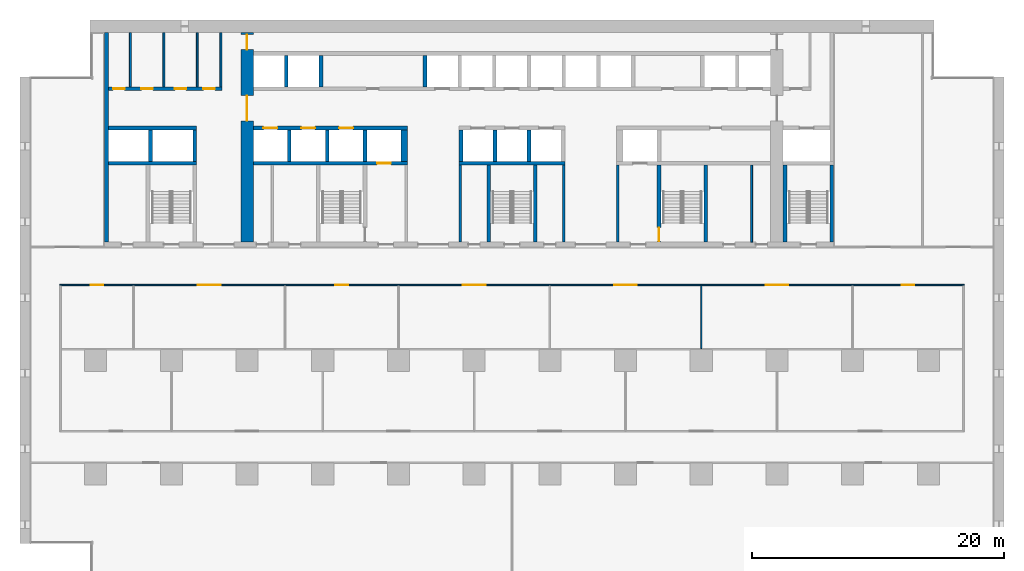
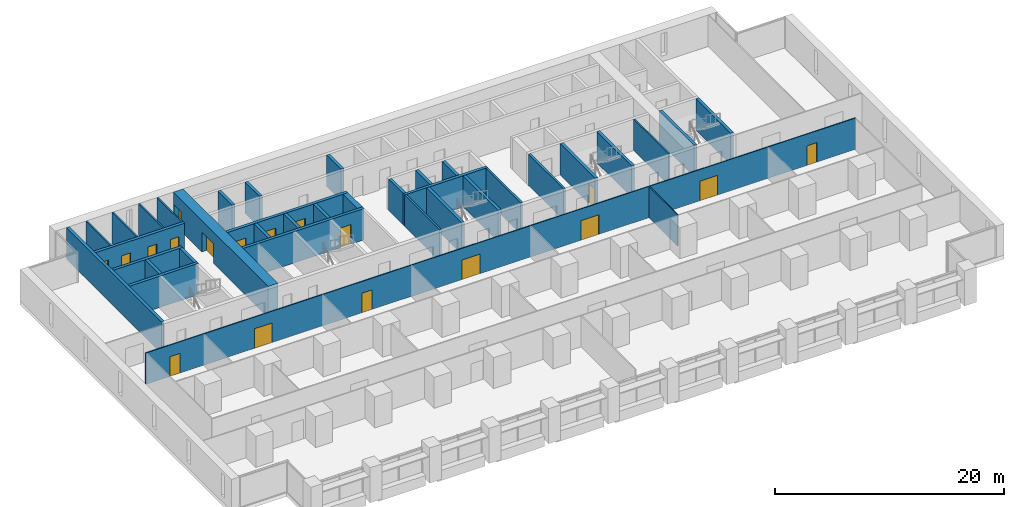
# One storey, part 10 of 18: 36 walls, 18 doors, 18 openings.
"""IFC4 building model written with IfcOpenShell, lengths in metres."""

from ifc_helpers import new_model, si_unit, direction, frame, frame_2d, origin, place, context, subcontext, project, spatial, rectangle, extrude, material, layer, layer_set, type_object, element, fill, save


model = new_model("IFC4")

# Units and contexts
model_context = context("Model", 3, precision=1e-05, world=origin(), true_north=direction((0.0, 1.0)))
body_context = subcontext(model_context, "Body", "Model", "MODEL_VIEW")
ifc_project = project(units=[si_unit("LENGTHUNIT", "METRE"), si_unit("AREAUNIT", "SQUARE_METRE"), si_unit("VOLUMEUNIT", "CUBIC_METRE"), si_unit("PLANEANGLEUNIT", "RADIAN"), si_unit("MASSUNIT", "GRAM", prefix="KILO")], contexts=[model_context])

# Site, building, storey
site_placement = place(None, origin())
site = spatial("IfcSite", under=ifc_project, at=site_placement, CompositionType="ELEMENT")
building_placement = place(site_placement, origin())
building = spatial("IfcBuilding", under=site, at=building_placement, Name="Calvaro Tower", CompositionType="ELEMENT")
storey_placement = place(building_placement, frame((0.0, 0.0, 37.5)))
storey = spatial("IfcBuildingStorey", under=building, at=storey_placement, Name="L08", CompositionType="ELEMENT", Elevation=37.5)

# Walls
ifc_material_1 = material(Name="Blockwork partition", Category="masonry")
ifc_layer_1 = layer(ifc_material_1, 0.14990234375)
ifc_layer_set_1 = layer_set([ifc_layer_1], Name="Blockwork partition")
wall_type_1 = type_object("IfcWallType", Name="Core partition 150 EI 60", PredefinedType="PARTITIONING", material=ifc_layer_set_1)
wall_1_placement = place(storey_placement, frame((58.0, 28.39990234375, 0.0), z_axis=(0.0, 0.0, 1.0), x_axis=(0.0, 1.0, 0.0)))
element("IfcWall", 1, at=wall_1_placement, inside=storey, type_object=wall_type_1, Name="Core partition", PredefinedType="PARTITIONING", context=body_context, shape_type="SweptSolid", body=[
    extrude(rectangle(XDim=6.10009765625, YDim=0.14990234375, at=frame_2d((3.050048828125, 0.0))), origin(), (0.0, 0.0, 1.0), 3.35009765625),
])
for number, where, z_axis, x_axis, name in (
    (2, (8.75, 40.699951171875, 0.0), (0.0, 0.0, 1.0), (0.0, 1.0, 0.0), "Core partition"),
    (3, (11.39990234375, 40.699951171875, 0.0), (0.0, 0.0, 1.0), (0.0, 1.0, 0.0), "Core partition"),
    (4, (14.050048828125, 40.699951171875, 0.0), (0.0, 0.0, 1.0), (0.0, 1.0, 0.0), "Core partition"),
):
    element("IfcWall", number, at=place(storey_placement, frame(where, z_axis=z_axis, x_axis=x_axis)), inside=storey, type_object=wall_type_1, Name=name, PredefinedType="PARTITIONING", context=body_context, shape_type="SweptSolid", body=[
        extrude(rectangle(XDim=4.300048828125, YDim=0.14990234375, at=frame_2d((2.14990234375, 0.0))), origin(), (0.0, 0.0, 1.0), 3.35009765625),
    ])
ifc_material_2 = material(Name="Blockwork partition", Category="masonry")
ifc_layer_2 = layer(ifc_material_2, 0.14990234375)
ifc_layer_set_2 = layer_set([ifc_layer_2], Name="Blockwork partition")
wall_type_2 = type_object("IfcWallType", Name="Core partition 150 REI 120", PredefinedType="PARTITIONING", material=ifc_layer_set_2)
wall_2_placement = place(storey_placement, frame((15.925048828125, 40.699951171875, 0.0), z_axis=(0.0, 0.0, 1.0), x_axis=(0.0, 1.0, 0.0)))
element("IfcWall", 5, at=wall_2_placement, inside=storey, type_object=wall_type_2, Name="Core partition", PredefinedType="PARTITIONING", context=body_context, shape_type="SweptSolid", body=[
    extrude(rectangle(XDim=4.300048828125, YDim=0.14990234375, at=frame_2d((2.14990234375, 0.0))), origin(), (0.0, 0.0, 1.0), 3.35009765625),
])
ifc_material_3 = material(Name="Blockwork partition", Category="masonry")
ifc_layer_3 = layer(ifc_material_3, 0.199951171875)
ifc_layer_set_3 = layer_set([ifc_layer_3], Name="Blockwork partition")
wall_type_3 = type_object("IfcWallType", Name="Core partition 200 REI 120", PredefinedType="PARTITIONING", material=ifc_layer_set_3)
for number, where, z_axis, x_axis, name in (
    (6, (34.89990234375, 28.39990234375, 0.0), (0.0, 0.0, 1.0), (0.0, 1.0, 0.0), "Core partition"),
    (7, (43.10009765625, 28.39990234375, 0.0), (0.0, 0.0, 1.0), (0.0, 1.0, 0.0), "Core partition"),
    (8, (47.39990234375, 28.39990234375, 0.0), (0.0, 0.0, 1.0), (0.0, 1.0, 0.0), "Core partition"),
):
    element("IfcWall", number, at=place(storey_placement, frame(where, z_axis=z_axis, x_axis=x_axis)), inside=storey, type_object=wall_type_3, Name=name, PredefinedType="PARTITIONING", context=body_context, shape_type="SweptSolid", body=[
        extrude(rectangle(XDim=6.10009765625, YDim=0.199951171875, at=frame_2d((3.050048828125, 0.0))), origin(), (0.0, 0.0, 1.0), 3.35009765625),
    ])

# Wall, openings, doors
ifc_material_4 = material(Name="Blockwork partition", Category="masonry")
ifc_layer_4 = layer(ifc_material_4, 0.300048828125)
ifc_layer_set_4 = layer_set([ifc_layer_4], Name="Blockwork partition")
wall_type_4 = type_object("IfcWallType", Name="Core partition 300 REI 120", PredefinedType="PARTITIONING", material=ifc_layer_set_4)
wall_3_placement = place(storey_placement, frame((7.0, 40.550048828125, 0.0), z_axis=(0.0, 0.0, 1.0), x_axis=(1.0, 0.0, 0.0)))
wall_3 = element("IfcWall", 9, at=wall_3_placement, inside=storey, type_object=wall_type_4, Name="Core partition", PredefinedType="PARTITIONING", context=body_context, shape_type="SweptSolid", body=[
    extrude(rectangle(XDim=9.0, YDim=0.300048828125, at=frame_2d((4.5, 0.0))), origin(), (0.0, 0.0, 1.0), 3.35009765625),
])
opening_1_placement = place(wall_3_placement, frame((0.387451171875, 0.0, 0.0)))
opening_1 = element("IfcOpeningElement", 10, at=opening_1_placement, cuts=wall_3, Name="Opening RD9C", PredefinedType="OPENING", context=body_context, shape_type="SweptSolid", body=[
    extrude(rectangle(XDim=0.89990234375, YDim=2.10009765625, at=frame_2d((0.449951171875, 1.050048828125))), frame((0.0, 0.159912109375, 0.0), z_axis=(0.0, -1.0, 0.0), x_axis=(1.0, 0.0, 0.0)), (0.0, 0.0, 1.0), 0.320068359375),
])
opening_2_placement = place(wall_3_placement, frame((2.625, 0.0, 0.0)))
opening_2 = element("IfcOpeningElement", 11, at=opening_2_placement, cuts=wall_3, Name="Opening RD9", PredefinedType="OPENING", context=body_context, shape_type="SweptSolid", body=[
    extrude(rectangle(XDim=0.89990234375, YDim=2.10009765625, at=frame_2d((0.449951171875, 1.050048828125))), frame((0.0, 0.159912109375, 0.0), z_axis=(0.0, -1.0, 0.0), x_axis=(1.0, 0.0, 0.0)), (0.0, 0.0, 1.0), 0.320068359375),
])
opening_3_placement = place(wall_3_placement, frame((5.27490234375, 0.0, 0.0)))
opening_3 = element("IfcOpeningElement", 12, at=opening_3_placement, cuts=wall_3, Name="Opening RD9", PredefinedType="OPENING", context=body_context, shape_type="SweptSolid", body=[
    extrude(rectangle(XDim=0.89990234375, YDim=2.10009765625, at=frame_2d((0.449951171875, 1.050048828125))), frame((0.0, 0.159912109375, 0.0), z_axis=(0.0, -1.0, 0.0), x_axis=(1.0, 0.0, 0.0)), (0.0, 0.0, 1.0), 0.320068359375),
])
opening_4_placement = place(wall_3_placement, frame((7.53759765625, 0.0, 0.0)))
opening_4 = element("IfcOpeningElement", 13, at=opening_4_placement, cuts=wall_3, Name="Opening RD9", PredefinedType="OPENING", context=body_context, shape_type="SweptSolid", body=[
    extrude(rectangle(XDim=0.89990234375, YDim=2.10009765625, at=frame_2d((0.449951171875, 1.050048828125))), frame((0.0, 0.159912109375, 0.0), z_axis=(0.0, -1.0, 0.0), x_axis=(1.0, 0.0, 0.0)), (0.0, 0.0, 1.0), 0.320068359375),
])
ifc_material_5 = material(Name="Steel door set", Category="steel")
door_type_1 = type_object("IfcDoorType", Name="Room door 900", OperationType="SINGLE_SWING_LEFT", PredefinedType="DOOR", material=ifc_material_5)
door_1_placement = place(opening_2_placement, origin())
door_1 = element("IfcDoor", 14, at=door_1_placement, inside=storey, type_object=door_type_1, Name="Room door", OperationType="SINGLE_SWING_LEFT", OverallHeight=2.10009765625, OverallWidth=0.89990234375, PredefinedType="DOOR", context=body_context, shape_type="SweptSolid", body=[
    extrude(rectangle(XDim=0.89990234375, YDim=2.10009765625, at=frame_2d((0.449951171875, 1.050048828125))), frame((0.0, 0.02490234375, 0.0), z_axis=(0.0, -1.0, 0.0), x_axis=(1.0, 0.0, 0.0)), (0.0, 0.0, 1.0), 0.050048828125),
])
fill(opening_2, door_1)
door_2_placement = place(opening_3_placement, origin())
door_2 = element("IfcDoor", 15, at=door_2_placement, inside=storey, type_object=door_type_1, Name="Room door", OperationType="SINGLE_SWING_LEFT", OverallHeight=2.10009765625, OverallWidth=0.89990234375, PredefinedType="DOOR", context=body_context, shape_type="SweptSolid", body=[
    extrude(rectangle(XDim=0.89990234375, YDim=2.10009765625, at=frame_2d((0.449951171875, 1.050048828125))), frame((0.0, 0.02490234375, 0.0), z_axis=(0.0, -1.0, 0.0), x_axis=(1.0, 0.0, 0.0)), (0.0, 0.0, 1.0), 0.050048828125),
])
fill(opening_3, door_2)
door_3_placement = place(opening_4_placement, origin())
door_3 = element("IfcDoor", 16, at=door_3_placement, inside=storey, type_object=door_type_1, Name="Room door", OperationType="SINGLE_SWING_RIGHT", OverallHeight=2.10009765625, OverallWidth=0.89990234375, PredefinedType="DOOR", context=body_context, shape_type="SweptSolid", body=[
    extrude(rectangle(XDim=0.89990234375, YDim=2.10009765625, at=frame_2d((0.449951171875, 1.050048828125))), frame((0.0, 0.02490234375, 0.0), z_axis=(0.0, -1.0, 0.0), x_axis=(1.0, 0.0, 0.0)), (0.0, 0.0, 1.0), 0.050048828125),
])
fill(opening_4, door_3)
ifc_material_6 = material(Name="Steel door set", Category="steel")
door_type_2 = type_object("IfcDoorType", Name="Room door 900 FD30", OperationType="SINGLE_SWING_LEFT", PredefinedType="DOOR", material=ifc_material_6)
door_4_placement = place(opening_1_placement, origin())
door_4 = element("IfcDoor", 17, at=door_4_placement, inside=storey, type_object=door_type_2, Name="Room door", OperationType="SINGLE_SWING_LEFT", OverallHeight=2.10009765625, OverallWidth=0.89990234375, PredefinedType="DOOR", context=body_context, shape_type="SweptSolid", body=[
    extrude(rectangle(XDim=0.89990234375, YDim=2.10009765625, at=frame_2d((0.449951171875, 1.050048828125))), frame((0.0, 0.02490234375, 0.0), z_axis=(0.0, -1.0, 0.0), x_axis=(1.0, 0.0, 0.0)), (0.0, 0.0, 1.0), 0.050048828125),
])
fill(opening_1, door_4)

ifc_material_7 = material(Name="Concrete C80/95", Category="concrete")
ifc_layer_5 = layer(ifc_material_7, 1.0)
ifc_layer_set_5 = layer_set([ifc_layer_5], Name="Concrete C80/95")
wall_type_5 = type_object("IfcWallType", Name="Core wall C80/95 1000", PredefinedType="SHEAR", material=ifc_layer_set_5)
wall_4_placement = place(storey_placement, frame((18.0, 28.39990234375, 0.0), z_axis=(0.0, 0.0, 1.0), x_axis=(0.0, 1.0, 0.0)))
wall_4 = element("IfcWall", 18, at=wall_4_placement, inside=storey, type_object=wall_type_5, Name="Core wall, cross shear wall", PredefinedType="SHEAR", context=body_context, shape_type="SweptSolid", body=[
    extrude(rectangle(XDim=16.60009765625, YDim=1.0, at=frame_2d((8.300048828125, 0.0))), origin(), (0.0, 0.0, 1.0), 3.35009765625),
])
opening_5_placement = place(wall_4_placement, frame((9.60009765625, 0.0, 0.0)))
opening_5 = element("IfcOpeningElement", 19, at=opening_5_placement, cuts=wall_4, Name="Opening DD20D", PredefinedType="OPENING", context=body_context, shape_type="SweptSolid", body=[
    extrude(rectangle(XDim=2.0, YDim=2.10009765625, at=frame_2d((1.0, 1.050048828125))), frame((0.0, 0.510009765625, 0.0), z_axis=(0.0, -1.0, 0.0), x_axis=(1.0, 0.0, 0.0)), (0.0, 0.0, 1.0), 1.02001953125),
])
opening_6_placement = place(wall_4_placement, frame((15.25, 0.0, 0.0)))
opening_6 = element("IfcOpeningElement", 20, at=opening_6_placement, cuts=wall_4, Name="Opening FD12C", PredefinedType="OPENING", context=body_context, shape_type="SweptSolid", body=[
    extrude(rectangle(XDim=1.199951171875, YDim=2.10009765625, at=frame_2d((0.60009765625, 1.050048828125))), frame((0.0, 0.510009765625, 0.0), z_axis=(0.0, -1.0, 0.0), x_axis=(1.0, 0.0, 0.0)), (0.0, 0.0, 1.0), 1.02001953125),
])
ifc_material_8 = material(Name="Steel door set", Category="steel")
door_type_3 = type_object("IfcDoorType", Name="Fire door 1200 FD30", OperationType="SINGLE_SWING_LEFT", PredefinedType="DOOR", material=ifc_material_8)
door_5_placement = place(opening_6_placement, origin())
door_5 = element("IfcDoor", 21, at=door_5_placement, inside=storey, type_object=door_type_3, Name="Fire door", OperationType="SINGLE_SWING_LEFT", OverallHeight=2.10009765625, OverallWidth=1.199951171875, PredefinedType="DOOR", context=body_context, shape_type="SweptSolid", body=[
    extrude(rectangle(XDim=1.199951171875, YDim=2.10009765625, at=frame_2d((0.60009765625, 1.050048828125))), frame((0.0, 0.02490234375, 0.0), z_axis=(0.0, -1.0, 0.0), x_axis=(1.0, 0.0, 0.0)), (0.0, 0.0, 1.0), 0.050048828125),
])
fill(opening_6, door_5)
ifc_material_9 = material(Name="Steel door set", Category="steel")
door_type_4 = type_object("IfcDoorType", Name="Lobby double door 2000 FD30S", OperationType="DOUBLE_DOOR_SINGLE_SWING", PredefinedType="DOOR", material=ifc_material_9)
door_6_placement = place(opening_5_placement, origin())
door_6 = element("IfcDoor", 22, at=door_6_placement, inside=storey, type_object=door_type_4, Name="Lobby double door", OperationType="DOUBLE_DOOR_SINGLE_SWING", OverallHeight=2.10009765625, OverallWidth=2.0, PredefinedType="DOOR", context=body_context, shape_type="SweptSolid", body=[
    extrude(rectangle(XDim=2.0, YDim=2.10009765625, at=frame_2d((1.0, 1.050048828125))), frame((0.0, 0.02490234375, 0.0), z_axis=(0.0, -1.0, 0.0), x_axis=(1.0, 0.0, 0.0)), (0.0, 0.0, 1.0), 0.050048828125),
])
fill(opening_5, door_6)

# Walls
ifc_material_10 = material(Name="Concrete C80/95", Category="concrete")
ifc_layer_6 = layer(ifc_material_10, 0.300048828125)
ifc_layer_set_6 = layer_set([ifc_layer_6], Name="Concrete C80/95")
wall_type_6 = type_object("IfcWallType", Name="Core wall C80/95 300", PredefinedType="SHEAR", material=ifc_layer_set_6)
wall_5_placement = place(storey_placement, frame((6.85009765625, 28.39990234375, 0.0), z_axis=(0.0, 0.0, 1.0), x_axis=(0.0, 1.0, 0.0)))
element("IfcWall", 23, at=wall_5_placement, inside=storey, type_object=wall_type_6, Name="Core wall, boundary", PredefinedType="SHEAR", context=body_context, shape_type="SweptSolid", body=[
    extrude(rectangle(XDim=16.60009765625, YDim=0.300048828125, at=frame_2d((8.300048828125, 0.0))), origin(), (0.0, 0.0, 1.0), 3.35009765625),
])
for number, where, z_axis, x_axis, name in (
    (24, (37.14990234375, 28.39990234375, 0.0), (0.0, 0.0, 1.0), (0.0, 1.0, 0.0), "Core wall, stair enclosure"),
    (25, (40.85009765625, 28.39990234375, 0.0), (0.0, 0.0, 1.0), (0.0, 1.0, 0.0), "Core wall, stair enclosure"),
):
    element("IfcWall", number, at=place(storey_placement, frame(where, z_axis=z_axis, x_axis=x_axis)), inside=storey, type_object=wall_type_6, Name=name, PredefinedType="SHEAR", context=body_context, shape_type="SweptSolid", body=[
        extrude(rectangle(XDim=6.10009765625, YDim=0.300048828125, at=frame_2d((3.050048828125, 0.0))), origin(), (0.0, 0.0, 1.0), 3.35009765625),
    ])

# Wall, opening, door
wall_6_placement = place(storey_placement, frame((50.64990234375, 34.5, 0.0), z_axis=(0.0, 0.0, 1.0), x_axis=(0.0, -1.0, 0.0)))
wall_6 = element("IfcWall", 26, at=wall_6_placement, inside=storey, type_object=wall_type_6, Name="Core wall, stair enclosure", PredefinedType="SHEAR", context=body_context, shape_type="SweptSolid", body=[
    extrude(rectangle(XDim=6.10009765625, YDim=0.300048828125, at=frame_2d((3.050048828125, 0.0))), origin(), (0.0, 0.0, 1.0), 3.35009765625),
])
opening_7_placement = place(wall_6_placement, frame((4.949951171875, 0.0, 0.0)))
opening_7 = element("IfcOpeningElement", 27, at=opening_7_placement, cuts=wall_6, Name="Opening FD11D", PredefinedType="OPENING", context=body_context, shape_type="SweptSolid", body=[
    extrude(rectangle(XDim=1.10009765625, YDim=2.10009765625, at=frame_2d((0.550048828125, 1.050048828125))), frame((0.0, 0.159912109375, 0.0), z_axis=(0.0, -1.0, 0.0), x_axis=(1.0, 0.0, 0.0)), (0.0, 0.0, 1.0), 0.320068359375),
])
ifc_material_11 = material(Name="Steel door set", Category="steel")
door_type_5 = type_object("IfcDoorType", Name="Fire door 1100 FD30S", OperationType="SINGLE_SWING_LEFT", PredefinedType="DOOR", material=ifc_material_11)
door_7_placement = place(opening_7_placement, origin())
door_7 = element("IfcDoor", 28, at=door_7_placement, inside=storey, type_object=door_type_5, Name="Fire door", OperationType="SINGLE_SWING_RIGHT", OverallHeight=2.10009765625, OverallWidth=1.10009765625, PredefinedType="DOOR", context=body_context, shape_type="SweptSolid", body=[
    extrude(rectangle(XDim=1.10009765625, YDim=2.10009765625, at=frame_2d((0.550048828125, 1.050048828125))), frame((0.0, 0.02490234375, 0.0), z_axis=(0.0, -1.0, 0.0), x_axis=(1.0, 0.0, 0.0)), (0.0, 0.0, 1.0), 0.050048828125),
])
fill(opening_7, door_7)

# Walls
for number, where, z_axis, x_axis, name in (
    (29, (54.35009765625, 28.39990234375, 0.0), (0.0, 0.0, 1.0), (0.0, 1.0, 0.0), "Core wall, stair enclosure"),
    (30, (60.64990234375, 28.39990234375, 0.0), (0.0, 0.0, 1.0), (0.0, 1.0, 0.0), "Core wall, stair enclosure"),
    (31, (64.35009765625, 28.39990234375, 0.0), (0.0, 0.0, 1.0), (0.0, 1.0, 0.0), "Core wall, stair enclosure"),
):
    element("IfcWall", number, at=place(storey_placement, frame(where, z_axis=z_axis, x_axis=x_axis)), inside=storey, type_object=wall_type_6, Name=name, PredefinedType="SHEAR", context=body_context, shape_type="SweptSolid", body=[
        extrude(rectangle(XDim=6.10009765625, YDim=0.300048828125, at=frame_2d((3.050048828125, 0.0))), origin(), (0.0, 0.0, 1.0), 3.35009765625),
    ])
wall_7_placement = place(storey_placement, frame((7.0, 34.64990234375, 0.0), z_axis=(0.0, 0.0, 1.0), x_axis=(1.0, 0.0, 0.0)))
element("IfcWall", 32, at=wall_7_placement, inside=storey, type_object=wall_type_6, Name="Core wall, lift shaft", PredefinedType="SHEAR", context=body_context, shape_type="SweptSolid", body=[
    extrude(rectangle(XDim=7.0, YDim=0.300048828125, at=frame_2d((3.5, 0.0))), origin(), (0.0, 0.0, 1.0), 3.35009765625),
])

# Wall, opening, door
wall_8_placement = place(storey_placement, frame((18.5, 34.64990234375, 0.0), z_axis=(0.0, 0.0, 1.0), x_axis=(1.0, 0.0, 0.0)))
wall_8 = element("IfcWall", 33, at=wall_8_placement, inside=storey, type_object=wall_type_6, Name="Core wall, lift shaft", PredefinedType="SHEAR", context=body_context, shape_type="SweptSolid", body=[
    extrude(rectangle(XDim=12.199951171875, YDim=0.300048828125, at=frame_2d((6.10009765625, 0.0))), origin(), (0.0, 0.0, 1.0), 3.35009765625),
])
opening_8_placement = place(wall_8_placement, frame((9.800048828125, 0.0, 0.0)))
opening_8 = element("IfcOpeningElement", 34, at=opening_8_placement, cuts=wall_8, Name="Opening FF1", PredefinedType="OPENING", context=body_context, shape_type="SweptSolid", body=[
    extrude(rectangle(XDim=1.10009765625, YDim=2.10009765625, at=frame_2d((0.550048828125, 1.050048828125))), frame((0.0, 0.159912109375, 0.0), z_axis=(0.0, -1.0, 0.0), x_axis=(1.0, 0.0, 0.0)), (0.0, 0.0, 1.0), 0.320068359375),
])
ifc_material_12 = material(Name="Stainless steel", Category="steel")
door_type_6 = type_object("IfcDoorType", Name="Landing door 1100 E 60", OperationType="SLIDING_TO_LEFT", PredefinedType="DOOR", material=ifc_material_12)
door_8_placement = place(opening_8_placement, origin())
door_8 = element("IfcDoor", 35, at=door_8_placement, inside=storey, type_object=door_type_6, Name="Landing door FF1", OperationType="SLIDING_TO_LEFT", OverallHeight=2.10009765625, OverallWidth=1.10009765625, PredefinedType="DOOR", context=body_context, shape_type="SweptSolid", body=[
    extrude(rectangle(XDim=1.10009765625, YDim=2.10009765625, at=frame_2d((0.550048828125, 1.050048828125))), frame((0.0, 0.02490234375, 0.0), z_axis=(0.0, -1.0, 0.0), x_axis=(1.0, 0.0, 0.0)), (0.0, 0.0, 1.0), 0.050048828125),
])
fill(opening_8, door_8)

# Walls
wall_9_placement = place(storey_placement, frame((34.800048828125, 34.64990234375, 0.0), z_axis=(0.0, 0.0, 1.0), x_axis=(1.0, 0.0, 0.0)))
element("IfcWall", 36, at=wall_9_placement, inside=storey, type_object=wall_type_6, Name="Core wall, lift shaft", PredefinedType="SHEAR", context=body_context, shape_type="SweptSolid", body=[
    extrude(rectangle(XDim=8.39990234375, YDim=0.300048828125, at=frame_2d((4.199951171875, 0.0))), origin(), (0.0, 0.0, 1.0), 3.35009765625),
])
wall_10_placement = place(storey_placement, frame((7.0, 37.449951171875, 0.0), z_axis=(0.0, 0.0, 1.0), x_axis=(1.0, 0.0, 0.0)))
element("IfcWall", 37, at=wall_10_placement, inside=storey, type_object=wall_type_6, Name="Core wall, lift shaft", PredefinedType="SHEAR", context=body_context, shape_type="SweptSolid", body=[
    extrude(rectangle(XDim=7.0, YDim=0.300048828125, at=frame_2d((3.5, 0.0))), origin(), (0.0, 0.0, 1.0), 3.35009765625),
])

# Wall, openings, doors
wall_11_placement = place(storey_placement, frame((18.5, 37.449951171875, 0.0), z_axis=(0.0, 0.0, 1.0), x_axis=(1.0, 0.0, 0.0)))
wall_11 = element("IfcWall", 38, at=wall_11_placement, inside=storey, type_object=wall_type_6, Name="Core wall, lift shaft", PredefinedType="SHEAR", context=body_context, shape_type="SweptSolid", body=[
    extrude(rectangle(XDim=12.199951171875, YDim=0.300048828125, at=frame_2d((6.10009765625, 0.0))), origin(), (0.0, 0.0, 1.0), 3.35009765625),
])
opening_9_placement = place(wall_11_placement, frame((0.800048828125, 0.0, 0.0)))
opening_9 = element("IfcOpeningElement", 39, at=opening_9_placement, cuts=wall_11, Name="Opening LR1", PredefinedType="OPENING", context=body_context, shape_type="SweptSolid", body=[
    extrude(rectangle(XDim=1.10009765625, YDim=2.10009765625, at=frame_2d((0.550048828125, 1.050048828125))), frame((0.0, 0.159912109375, 0.0), z_axis=(0.0, -1.0, 0.0), x_axis=(1.0, 0.0, 0.0)), (0.0, 0.0, 1.0), 0.320068359375),
])
opening_10_placement = place(wall_11_placement, frame((3.800048828125, 0.0, 0.0)))
opening_10 = element("IfcOpeningElement", 40, at=opening_10_placement, cuts=wall_11, Name="Opening LR2", PredefinedType="OPENING", context=body_context, shape_type="SweptSolid", body=[
    extrude(rectangle(XDim=1.10009765625, YDim=2.10009765625, at=frame_2d((0.550048828125, 1.050048828125))), frame((0.0, 0.159912109375, 0.0), z_axis=(0.0, -1.0, 0.0), x_axis=(1.0, 0.0, 0.0)), (0.0, 0.0, 1.0), 0.320068359375),
])
opening_11_placement = place(wall_11_placement, frame((6.800048828125, 0.0, 0.0)))
opening_11 = element("IfcOpeningElement", 41, at=opening_11_placement, cuts=wall_11, Name="Opening LR3", PredefinedType="OPENING", context=body_context, shape_type="SweptSolid", body=[
    extrude(rectangle(XDim=1.10009765625, YDim=2.10009765625, at=frame_2d((0.550048828125, 1.050048828125))), frame((0.0, 0.159912109375, 0.0), z_axis=(0.0, -1.0, 0.0), x_axis=(1.0, 0.0, 0.0)), (0.0, 0.0, 1.0), 0.320068359375),
])
door_9_placement = place(opening_9_placement, origin())
door_9 = element("IfcDoor", 42, at=door_9_placement, inside=storey, type_object=door_type_6, Name="Landing door LR1", OperationType="SLIDING_TO_LEFT", OverallHeight=2.10009765625, OverallWidth=1.10009765625, PredefinedType="DOOR", context=body_context, shape_type="SweptSolid", body=[
    extrude(rectangle(XDim=1.10009765625, YDim=2.10009765625, at=frame_2d((0.550048828125, 1.050048828125))), frame((0.0, 0.02490234375, 0.0), z_axis=(0.0, -1.0, 0.0), x_axis=(1.0, 0.0, 0.0)), (0.0, 0.0, 1.0), 0.050048828125),
])
fill(opening_9, door_9)
door_10_placement = place(opening_10_placement, origin())
door_10 = element("IfcDoor", 43, at=door_10_placement, inside=storey, type_object=door_type_6, Name="Landing door LR2", OperationType="SLIDING_TO_LEFT", OverallHeight=2.10009765625, OverallWidth=1.10009765625, PredefinedType="DOOR", context=body_context, shape_type="SweptSolid", body=[
    extrude(rectangle(XDim=1.10009765625, YDim=2.10009765625, at=frame_2d((0.550048828125, 1.050048828125))), frame((0.0, 0.02490234375, 0.0), z_axis=(0.0, -1.0, 0.0), x_axis=(1.0, 0.0, 0.0)), (0.0, 0.0, 1.0), 0.050048828125),
])
fill(opening_10, door_10)
door_11_placement = place(opening_11_placement, origin())
door_11 = element("IfcDoor", 44, at=door_11_placement, inside=storey, type_object=door_type_6, Name="Landing door LR3", OperationType="SLIDING_TO_LEFT", OverallHeight=2.10009765625, OverallWidth=1.10009765625, PredefinedType="DOOR", context=body_context, shape_type="SweptSolid", body=[
    extrude(rectangle(XDim=1.10009765625, YDim=2.10009765625, at=frame_2d((0.550048828125, 1.050048828125))), frame((0.0, 0.02490234375, 0.0), z_axis=(0.0, -1.0, 0.0), x_axis=(1.0, 0.0, 0.0)), (0.0, 0.0, 1.0), 0.050048828125),
])
fill(opening_11, door_11)

# Walls
for number, where, z_axis, x_axis, name in (
    (45, (27.35009765625, 34.800048828125, 0.0), (0.0, 0.0, 1.0), (0.0, 1.0, 0.0), "Core wall, lift shaft"),
    (46, (34.949951171875, 34.800048828125, 0.0), (0.0, 0.0, 1.0), (0.0, 1.0, 0.0), "Core wall, lift shaft"),
    (47, (13.85009765625, 34.800048828125, 0.0), (0.0, 0.0, 1.0), (0.0, 1.0, 0.0), "Core wall, lift shaft"),
    (48, (21.35009765625, 34.800048828125, 0.0), (0.0, 0.0, 1.0), (0.0, 1.0, 0.0), "Core wall, lift shaft"),
    (49, (24.35009765625, 34.800048828125, 0.0), (0.0, 0.0, 1.0), (0.0, 1.0, 0.0), "Core wall, lift shaft"),
    (50, (37.64990234375, 34.800048828125, 0.0), (0.0, 0.0, 1.0), (0.0, 1.0, 0.0), "Core wall, lift shaft"),
    (51, (40.35009765625, 34.800048828125, 0.0), (0.0, 0.0, 1.0), (0.0, 1.0, 0.0), "Core wall, lift shaft"),
    (52, (21.10009765625, 40.699951171875, 0.0), (0.0, 0.0, 1.0), (0.0, 1.0, 0.0), "Core wall, lift shaft"),
    (53, (23.85009765625, 40.699951171875, 0.0), (0.0, 0.0, 1.0), (0.0, 1.0, 0.0), "Core wall, lift shaft"),
    (54, (32.10009765625, 40.699951171875, 0.0), (0.0, 0.0, 1.0), (0.0, 1.0, 0.0), "Core wall, lift shaft"),
    (55, (10.35009765625, 34.800048828125, 0.0), (0.0, 0.0, 1.0), (0.0, 1.0, 0.0), "Core wall, lift shaft"),
):
    element("IfcWall", number, at=place(storey_placement, frame(where, z_axis=z_axis, x_axis=x_axis)), inside=storey, type_object=wall_type_6, Name=name, PredefinedType="SHEAR", context=body_context, shape_type="SweptSolid", body=[
        extrude(rectangle(XDim=2.5, YDim=0.300048828125, at=frame_2d((1.25, 0.0))), origin(), (0.0, 0.0, 1.0), 3.35009765625),
    ])
ifc_material_13 = material(Name="Concrete C80/95", Category="concrete")
ifc_layer_7 = layer(ifc_material_13, 0.5)
ifc_layer_set_7 = layer_set([ifc_layer_7], Name="Concrete C80/95")
wall_type_7 = type_object("IfcWallType", Name="Core wall C80/95 500", PredefinedType="SHEAR", material=ifc_layer_set_7)
wall_12_placement = place(storey_placement, frame((30.449951171875, 34.800048828125, 0.0), z_axis=(0.0, 0.0, 1.0), x_axis=(0.0, 1.0, 0.0)))
element("IfcWall", 56, at=wall_12_placement, inside=storey, type_object=wall_type_7, Name="Core wall, lift shaft", PredefinedType="SHEAR", context=body_context, shape_type="SweptSolid", body=[
    extrude(rectangle(XDim=2.5, YDim=0.5, at=frame_2d((1.25, 0.0))), origin(), (0.0, 0.0, 1.0), 3.35009765625),
])

# Wall, openings, doors
ifc_material_14 = material(Name="Plasterboard on steel studs", Category="steel")
ifc_layer_8 = layer(ifc_material_14, 0.10009765625)
ifc_layer_set_8 = layer_set([ifc_layer_8], Name="Plasterboard on steel studs")
wall_type_8 = type_object("IfcWallType", Name="Partition 100", PredefinedType="PARTITIONING", material=ifc_layer_set_8)
wall_13_placement = place(storey_placement, frame((3.14990234375, 25.0, 0.0), z_axis=(0.0, 0.0, 1.0), x_axis=(1.0, 0.0, 0.0)))
wall_13 = element("IfcWall", 57, at=wall_13_placement, inside=storey, type_object=wall_type_8, Name="Partition T09.W004", PredefinedType="PARTITIONING", context=body_context, shape_type="SweptSolid", body=[
    extrude(rectangle(XDim=71.7001953125, YDim=0.10009765625, at=frame_2d((35.85009765625, 0.0))), origin(), (0.0, 0.0, 1.0), 3.35009765625),
])
opening_12_placement = place(wall_13_placement, frame((21.85009765625, 0.0, 0.0)))
opening_12 = element("IfcOpeningElement", 58, at=opening_12_placement, cuts=wall_13, Name="Opening T09.011", PredefinedType="OPENING", context=body_context, shape_type="SweptSolid", body=[
    extrude(rectangle(XDim=1.0, YDim=2.10009765625, at=frame_2d((0.5, 1.050048828125))), frame((0.0, 0.06005859375, 0.0), z_axis=(0.0, -1.0, 0.0), x_axis=(1.0, 0.0, 0.0)), (0.0, 0.0, 1.0), 0.1201171875),
])
opening_13_placement = place(wall_13_placement, frame((66.75, 0.0, 0.0)))
opening_13 = element("IfcOpeningElement", 59, at=opening_13_placement, cuts=wall_13, Name="Opening T09.012", PredefinedType="OPENING", context=body_context, shape_type="SweptSolid", body=[
    extrude(rectangle(XDim=1.0, YDim=2.10009765625, at=frame_2d((0.5, 1.050048828125))), frame((0.0, 0.06005859375, 0.0), z_axis=(0.0, -1.0, 0.0), x_axis=(1.0, 0.0, 0.0)), (0.0, 0.0, 1.0), 0.1201171875),
])
opening_14_placement = place(wall_13_placement, frame((2.449951171875, 0.0, 0.0)))
opening_14 = element("IfcOpeningElement", 60, at=opening_14_placement, cuts=wall_13, Name="Opening T09.013", PredefinedType="OPENING", context=body_context, shape_type="SweptSolid", body=[
    extrude(rectangle(XDim=1.0, YDim=2.10009765625, at=frame_2d((0.5, 1.050048828125))), frame((0.0, 0.06005859375, 0.0), z_axis=(0.0, -1.0, 0.0), x_axis=(1.0, 0.0, 0.0)), (0.0, 0.0, 1.0), 0.1201171875),
])
opening_15_placement = place(wall_13_placement, frame((10.949951171875, 0.0, 0.0)))
opening_15 = element("IfcOpeningElement", 61, at=opening_15_placement, cuts=wall_13, Name="Opening T09.014", PredefinedType="OPENING", context=body_context, shape_type="SweptSolid", body=[
    extrude(rectangle(XDim=1.800048828125, YDim=2.10009765625, at=frame_2d((0.89990234375, 1.050048828125))), frame((0.0, 0.06005859375, 0.0), z_axis=(0.0, -1.0, 0.0), x_axis=(1.0, 0.0, 0.0)), (0.0, 0.0, 1.0), 0.1201171875),
])
opening_16_placement = place(wall_13_placement, frame((31.949951171875, 0.0, 0.0)))
opening_16 = element("IfcOpeningElement", 62, at=opening_16_placement, cuts=wall_13, Name="Opening T09.015", PredefinedType="OPENING", context=body_context, shape_type="SweptSolid", body=[
    extrude(rectangle(XDim=1.800048828125, YDim=2.10009765625, at=frame_2d((0.89990234375, 1.050048828125))), frame((0.0, 0.06005859375, 0.0), z_axis=(0.0, -1.0, 0.0), x_axis=(1.0, 0.0, 0.0)), (0.0, 0.0, 1.0), 0.1201171875),
])
opening_17_placement = place(wall_13_placement, frame((43.949951171875, 0.0, 0.0)))
opening_17 = element("IfcOpeningElement", 63, at=opening_17_placement, cuts=wall_13, Name="Opening T09.016", PredefinedType="OPENING", context=body_context, shape_type="SweptSolid", body=[
    extrude(rectangle(XDim=1.800048828125, YDim=2.10009765625, at=frame_2d((0.89990234375, 1.050048828125))), frame((0.0, 0.06005859375, 0.0), z_axis=(0.0, -1.0, 0.0), x_axis=(1.0, 0.0, 0.0)), (0.0, 0.0, 1.0), 0.1201171875),
])
opening_18_placement = place(wall_13_placement, frame((55.949951171875, 0.0, 0.0)))
opening_18 = element("IfcOpeningElement", 64, at=opening_18_placement, cuts=wall_13, Name="Opening T09.017", PredefinedType="OPENING", context=body_context, shape_type="SweptSolid", body=[
    extrude(rectangle(XDim=1.800048828125, YDim=2.10009765625, at=frame_2d((0.89990234375, 1.050048828125))), frame((0.0, 0.06005859375, 0.0), z_axis=(0.0, -1.0, 0.0), x_axis=(1.0, 0.0, 0.0)), (0.0, 0.0, 1.0), 0.1201171875),
])
ifc_material_15 = material(Name="Timber", Category="wood")
door_type_7 = type_object("IfcDoorType", Name="Internal double door 1800 x 2100", OperationType="DOUBLE_DOOR_SINGLE_SWING", PredefinedType="DOOR", material=ifc_material_15)
door_12_placement = place(opening_15_placement, origin())
door_12 = element("IfcDoor", 65, at=door_12_placement, inside=storey, type_object=door_type_7, Name="Door T09.014", OperationType="DOUBLE_DOOR_SINGLE_SWING", OverallHeight=2.10009765625, OverallWidth=1.800048828125, PredefinedType="DOOR", context=body_context, shape_type="SweptSolid", body=[
    extrude(rectangle(XDim=1.800048828125, YDim=2.10009765625, at=frame_2d((0.89990234375, 1.050048828125))), frame((0.0, 0.02490234375, 0.0), z_axis=(0.0, -1.0, 0.0), x_axis=(1.0, 0.0, 0.0)), (0.0, 0.0, 1.0), 0.050048828125),
])
fill(opening_15, door_12)
door_13_placement = place(opening_16_placement, origin())
door_13 = element("IfcDoor", 66, at=door_13_placement, inside=storey, type_object=door_type_7, Name="Door T09.015", OperationType="DOUBLE_DOOR_SINGLE_SWING", OverallHeight=2.10009765625, OverallWidth=1.800048828125, PredefinedType="DOOR", context=body_context, shape_type="SweptSolid", body=[
    extrude(rectangle(XDim=1.800048828125, YDim=2.10009765625, at=frame_2d((0.89990234375, 1.050048828125))), frame((0.0, 0.02490234375, 0.0), z_axis=(0.0, -1.0, 0.0), x_axis=(1.0, 0.0, 0.0)), (0.0, 0.0, 1.0), 0.050048828125),
])
fill(opening_16, door_13)
door_14_placement = place(opening_17_placement, origin())
door_14 = element("IfcDoor", 67, at=door_14_placement, inside=storey, type_object=door_type_7, Name="Door T09.016", OperationType="DOUBLE_DOOR_SINGLE_SWING", OverallHeight=2.10009765625, OverallWidth=1.800048828125, PredefinedType="DOOR", context=body_context, shape_type="SweptSolid", body=[
    extrude(rectangle(XDim=1.800048828125, YDim=2.10009765625, at=frame_2d((0.89990234375, 1.050048828125))), frame((0.0, 0.02490234375, 0.0), z_axis=(0.0, -1.0, 0.0), x_axis=(1.0, 0.0, 0.0)), (0.0, 0.0, 1.0), 0.050048828125),
])
fill(opening_17, door_14)
door_15_placement = place(opening_18_placement, origin())
door_15 = element("IfcDoor", 68, at=door_15_placement, inside=storey, type_object=door_type_7, Name="Door T09.017", OperationType="DOUBLE_DOOR_SINGLE_SWING", OverallHeight=2.10009765625, OverallWidth=1.800048828125, PredefinedType="DOOR", context=body_context, shape_type="SweptSolid", body=[
    extrude(rectangle(XDim=1.800048828125, YDim=2.10009765625, at=frame_2d((0.89990234375, 1.050048828125))), frame((0.0, 0.02490234375, 0.0), z_axis=(0.0, -1.0, 0.0), x_axis=(1.0, 0.0, 0.0)), (0.0, 0.0, 1.0), 0.050048828125),
])
fill(opening_18, door_15)
ifc_material_16 = material(Name="Timber", Category="wood")
door_type_8 = type_object("IfcDoorType", Name="Internal single door 1000 x 2100", OperationType="SINGLE_SWING_LEFT", PredefinedType="DOOR", material=ifc_material_16)
door_16_placement = place(opening_12_placement, origin())
door_16 = element("IfcDoor", 69, at=door_16_placement, inside=storey, type_object=door_type_8, Name="Door T09.011", OperationType="SINGLE_SWING_LEFT", OverallHeight=2.10009765625, OverallWidth=1.0, PredefinedType="DOOR", context=body_context, shape_type="SweptSolid", body=[
    extrude(rectangle(XDim=1.0, YDim=2.10009765625, at=frame_2d((0.5, 1.050048828125))), frame((0.0, 0.02490234375, 0.0), z_axis=(0.0, -1.0, 0.0), x_axis=(1.0, 0.0, 0.0)), (0.0, 0.0, 1.0), 0.050048828125),
])
fill(opening_12, door_16)
door_17_placement = place(opening_13_placement, origin())
door_17 = element("IfcDoor", 70, at=door_17_placement, inside=storey, type_object=door_type_8, Name="Door T09.012", OperationType="SINGLE_SWING_RIGHT", OverallHeight=2.10009765625, OverallWidth=1.0, PredefinedType="DOOR", context=body_context, shape_type="SweptSolid", body=[
    extrude(rectangle(XDim=1.0, YDim=2.10009765625, at=frame_2d((0.5, 1.050048828125))), frame((0.0, 0.02490234375, 0.0), z_axis=(0.0, -1.0, 0.0), x_axis=(1.0, 0.0, 0.0)), (0.0, 0.0, 1.0), 0.050048828125),
])
fill(opening_13, door_17)
door_18_placement = place(opening_14_placement, origin())
door_18 = element("IfcDoor", 71, at=door_18_placement, inside=storey, type_object=door_type_8, Name="Door T09.013", OperationType="SINGLE_SWING_LEFT", OverallHeight=2.10009765625, OverallWidth=1.0, PredefinedType="DOOR", context=body_context, shape_type="SweptSolid", body=[
    extrude(rectangle(XDim=1.0, YDim=2.10009765625, at=frame_2d((0.5, 1.050048828125))), frame((0.0, 0.02490234375, 0.0), z_axis=(0.0, -1.0, 0.0), x_axis=(1.0, 0.0, 0.0)), (0.0, 0.0, 1.0), 0.050048828125),
])
fill(opening_14, door_18)

# Wall
wall_14_placement = place(storey_placement, frame((54.0, 19.949951171875, 0.0), z_axis=(0.0, 0.0, 1.0), x_axis=(0.0, 1.0, 0.0)))
element("IfcWall", 72, at=wall_14_placement, inside=storey, type_object=wall_type_8, Name="Partition T09.W017", PredefinedType="PARTITIONING", context=body_context, shape_type="SweptSolid", body=[
    extrude(rectangle(XDim=5.0, YDim=0.10009765625, at=frame_2d((2.5, 0.0))), origin(), (0.0, 0.0, 1.0), 3.35009765625),
])

save(model, "model.ifc")
